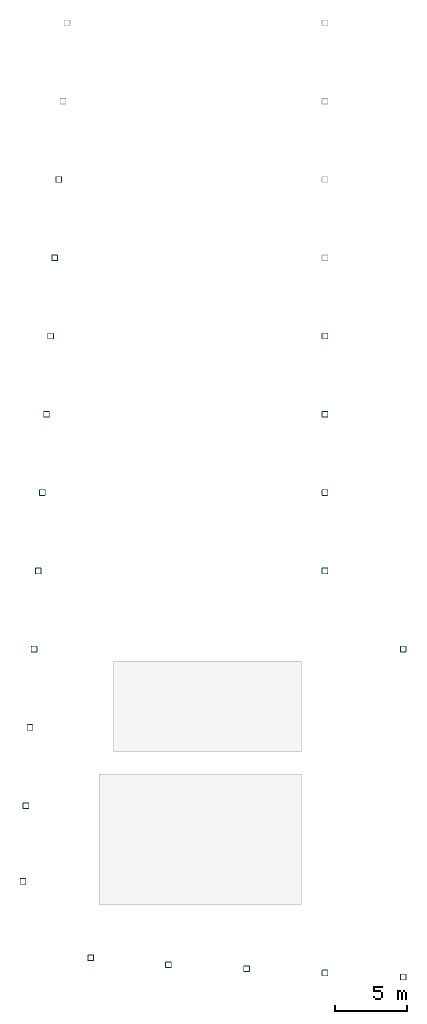
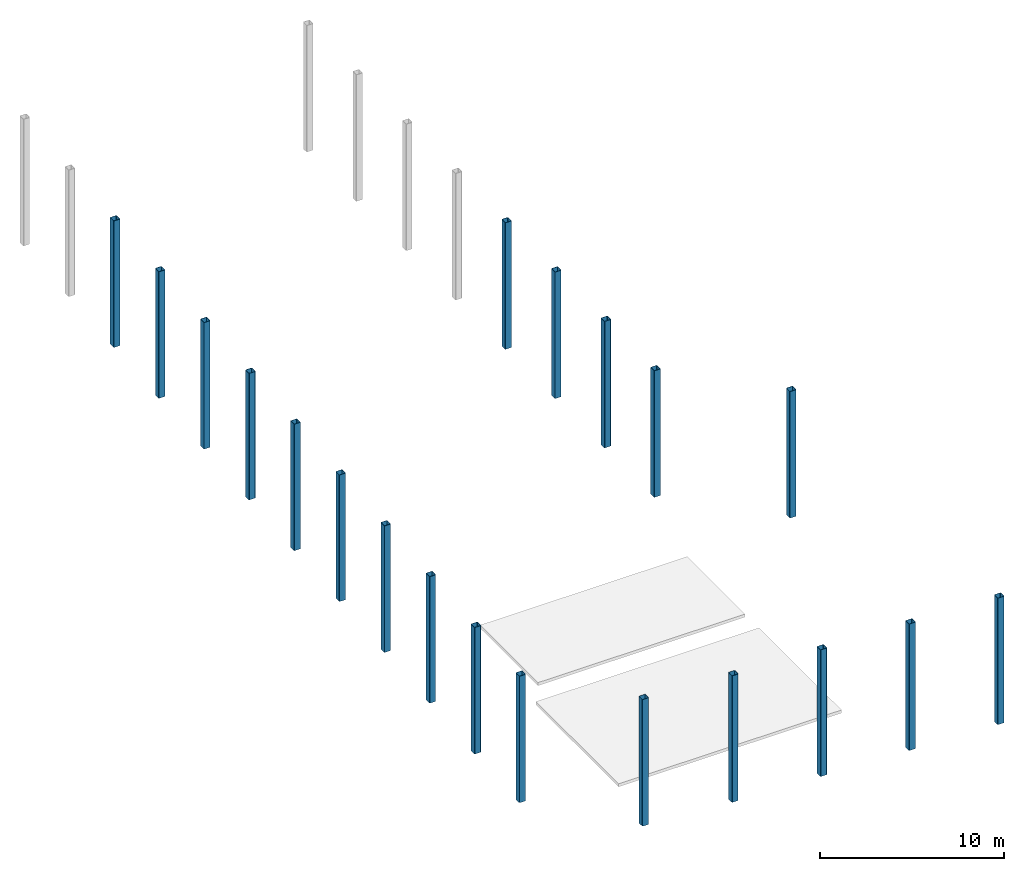
# One storey, part 1 of 3: 20 columns.
"""IFC4 building model written with IfcOpenShell, lengths in metres."""

import ifcopenshell
import ifcopenshell.guid

model = None  # the IFC model being written
_history = None  # IfcOwnerHistory: only IFC2X3 demands one
_inside = {}  # id of a spatial element -> (the spatial element, [elements in it])
_under = {}  # id of a project, library or spatial element -> (it, [spatial elements below it])
_declared = {}  # id of a project -> (the project, [libraries it declares])
_typed = {}  # id of a type object -> (the type object, [elements of that type])
_made_of = {}  # id of a material, layer set ... -> (it, [elements and type objects made of it])


def new_model(schema):
    """Start an empty IFC model of exactly this schema.

    Asked for "IFC4X3", IfcOpenShell would pick the latest addendum, in which some entities
    have other attributes; the version numbers below select the first issue.
    IFC2X3 requires an IfcOwnerHistory on every rooted entity: one is made here for all.
    """
    global model, _history
    if schema == "IFC4X3":
        model = ifcopenshell.file(schema_version=(4, 3, 0, 0))
    else:
        model = ifcopenshell.file(schema=schema)
    _inside.clear()
    _under.clear()
    _declared.clear()
    _typed.clear()
    _made_of.clear()
    _history = None
    if model.schema == "IFC2X3":
        org = make("IfcOrganization", Name="unknown")
        user = make(
            "IfcPersonAndOrganization",
            ThePerson=make("IfcPerson", FamilyName="unknown"),
            TheOrganization=org,
        )
        app = make(
            "IfcApplication",
            ApplicationDeveloper=org,
            Version="unknown",
            ApplicationFullName="unknown",
            ApplicationIdentifier="unknown",
        )
        _history = make(
            "IfcOwnerHistory",
            OwningUser=user,
            OwningApplication=app,
            ChangeAction="ADDED",
            CreationDate=0,
        )
    return model


def make(cls, **values):
    """One entity of the class cls with the attributes given. An attribute that is None is left unset."""
    return model.create_entity(
        cls, **{name: value for name, value in values.items() if value is not None}
    )


def rooted(cls, **values):
    """An entity with a GlobalId (a new one), such as an element, a storey or a relation."""
    return make(cls, GlobalId=ifcopenshell.guid.new(), OwnerHistory=_history, **values)


def si_unit(unit_type, name, prefix=None):
    """IfcSIUnit, for example si_unit("LENGTHUNIT", "METRE", prefix="MILLI")."""
    return make("IfcSIUnit", UnitType=unit_type, Prefix=prefix, Name=name)


def assignment(units):
    """IfcUnitAssignment: the units of a project."""
    return None if units is None else make("IfcUnitAssignment", Units=units)


def point(xyz):
    """IfcCartesianPoint."""
    return None if xyz is None else make("IfcCartesianPoint", Coordinates=xyz)


def direction(xyz):
    """IfcDirection."""
    return None if xyz is None else make("IfcDirection", DirectionRatios=xyz)


def frame(location, z_axis=None, x_axis=None):
    """IfcAxis2Placement3D, a coordinate frame: its origin and axes. An axis left out is left unset."""
    return make(
        "IfcAxis2Placement3D",
        Location=point(location),
        Axis=direction(z_axis),
        RefDirection=direction(x_axis),
    )


def frame_2d(location, x_axis=None):
    """IfcAxis2Placement2D, a coordinate frame in the plane: its origin and x axis."""
    return make(
        "IfcAxis2Placement2D", Location=point(location), RefDirection=direction(x_axis)
    )


def origin():
    """The frame at (0, 0, 0) with its axes left unset."""
    return frame((0.0, 0.0, 0.0))


def origin_2d():
    """The frame at (0, 0) in the plane with its x axis left unset."""
    return frame_2d((0.0, 0.0))


def place(relative_to, where):
    """IfcLocalPlacement: puts the frame where relative to a parent placement (None: the world)."""
    return make(
        "IfcLocalPlacement", PlacementRelTo=relative_to, RelativePlacement=where
    )


def context(
    kind, dimensions, precision=None, world=None, true_north=None, identifier=None
):
    """IfcGeometricRepresentationContext, for example the 3D "Model" context."""
    return make(
        "IfcGeometricRepresentationContext",
        ContextIdentifier=identifier,
        ContextType=kind,
        CoordinateSpaceDimension=dimensions,
        Precision=precision,
        WorldCoordinateSystem=world,
        TrueNorth=true_north,
    )


def subcontext(parent, identifier, kind, view, scale=None):
    """IfcGeometricRepresentationSubContext, for example "Body" below "Model"."""
    return make(
        "IfcGeometricRepresentationSubContext",
        ContextIdentifier=identifier,
        ContextType=kind,
        ParentContext=parent,
        TargetScale=scale,
        TargetView=view,
    )


def project(units=None, contexts=None):
    """IfcProject with its units and contexts."""
    return rooted(
        "IfcProject",
        Name="project",
        RepresentationContexts=contexts,
        UnitsInContext=assignment(units),
    )


def spatial(cls, under=None, at=None, **own):
    """A site, building, storey or space (cls), placed at a placement, below another one or the project."""
    s = rooted(cls, ObjectPlacement=at, **own)
    if under is not None:
        _under.setdefault(under.id(), (under, []))[1].append(s)
    return s


def profile(cls, at=None, kind="AREA", **sizes):
    """A parametric profile (cls). Its sizes go by their IFC names, for example OverallWidth=200.0."""
    return make(cls, ProfileType=kind, Position=at, **sizes)


def hollow_rectangle(**sizes):
    """IfcRectangleHollowProfileDef."""
    return profile("IfcRectangleHollowProfileDef", **sizes)


def extrude(swept, where, along, depth):
    """IfcExtrudedAreaSolid: the profile swept, set in the frame where, extruded along a direction by depth."""
    return make(
        "IfcExtrudedAreaSolid",
        SweptArea=swept,
        Position=where,
        ExtrudedDirection=direction(along),
        Depth=depth,
    )


def shape(context_of_items, identifier, shape_type, items):
    """IfcShapeRepresentation: the items that make up one representation, for example the "Body"."""
    return make(
        "IfcShapeRepresentation",
        ContextOfItems=context_of_items,
        RepresentationIdentifier=identifier,
        RepresentationType=shape_type,
        Items=items,
    )


def material(Name=None, Category=None):
    """IfcMaterial."""
    return make("IfcMaterial", Name=Name, Category=Category)


def material_profile(
    of_material, cross_section, Name=None, Category=None, Priority=None
):
    """IfcMaterialProfile: a cross section and its material."""
    return make(
        "IfcMaterialProfile",
        Name=Name,
        Material=of_material,
        Profile=cross_section,
        Priority=Priority,
        Category=Category,
    )


def profile_set(profiles, Name=None, composite=None):
    """IfcMaterialProfileSet."""
    return make(
        "IfcMaterialProfileSet",
        Name=Name,
        MaterialProfiles=profiles,
        CompositeProfile=composite,
    )


def made_of(thing, what):
    """Note that an element or type object is made of a material, layer set ...; save() writes the relation."""
    if what is not None:
        _made_of.setdefault(what.id(), (what, []))[1].append(thing)
    return thing


def type_object(cls, material=None, **own):
    """A type object (cls), such as IfcWallType, which elements share."""
    return made_of(rooted(cls, **own), material)


def element(
    cls,
    number,
    at=None,
    inside=None,
    cuts=None,
    type_object=None,
    material=None,
    context=None,
    identifier="Body",
    shape_type=None,
    held_by="IfcProductDefinitionShape",
    body=None,
    shapes=None,
    **own,
):
    """One element of the class cls, such as IfcWall. Its Tag is "e" and its number.

    at: its placement. inside: the storey or other place that contains it. cuts: it is an
    opening in that element (IfcRelVoidsElement). A single representation is given by context,
    identifier, shape_type and body (its items); several are given by shapes. held_by: the class
    of the entity that holds the representations. save() writes the other relations.
    """
    e = rooted(cls, Tag="e%d" % number, ObjectPlacement=at, **own)
    if body is not None:
        shapes = [shape(context, identifier, shape_type, body)]
    if shapes is not None:
        e.Representation = make(held_by, Representations=shapes)
    if inside is not None:
        _inside.setdefault(inside.id(), (inside, []))[1].append(e)
    if cuts is not None:
        rooted(
            "IfcRelVoidsElement", RelatingBuildingElement=cuts, RelatedOpeningElement=e
        )
    if type_object is not None:
        _typed.setdefault(type_object.id(), (type_object, []))[1].append(e)
    return made_of(e, material)


def aggregate(whole, parts):
    """IfcRelAggregates: a whole, such as a stair, and the parts it consists of."""
    return rooted("IfcRelAggregates", RelatingObject=whole, RelatedObjects=parts)


def save(model, path):
    """Write the relations noted so far, then the file.

    IfcRelAggregates (storeys below a building ...), IfcRelContainedInSpatialStructure (elements
    in a storey), IfcRelDefinesByType, IfcRelAssociatesMaterial and IfcRelDeclares: one each for
    every whole, place, type object, material and project.
    """
    for whole, parts in _under.values():
        aggregate(whole, parts)
    for where, things in _inside.values():
        rooted(
            "IfcRelContainedInSpatialStructure",
            RelatedElements=things,
            RelatingStructure=where,
        )
    for kind, things in _typed.values():
        rooted("IfcRelDefinesByType", RelatedObjects=things, RelatingType=kind)
    for what, things in _made_of.values():
        rooted("IfcRelAssociatesMaterial", RelatedObjects=things, RelatingMaterial=what)
    for by, libraries in _declared.values():
        rooted("IfcRelDeclares", RelatingContext=by, RelatedDefinitions=libraries)
    model.write(path)


model = new_model("IFC4")

# Units and contexts
model_context = context("Model", 3, precision=1e-05, world=origin(), true_north=direction((0.0, 1.0)))
body_context = subcontext(model_context, "Body", "Model", "MODEL_VIEW")
ifc_project = project(units=[si_unit("LENGTHUNIT", "METRE"), si_unit("AREAUNIT", "SQUARE_METRE"), si_unit("VOLUMEUNIT", "CUBIC_METRE"), si_unit("PLANEANGLEUNIT", "RADIAN"), si_unit("MASSUNIT", "GRAM", prefix="KILO")], contexts=[model_context])

# Site, building, storey
site_placement = place(None, origin())
site = spatial("IfcSite", under=ifc_project, at=site_placement, CompositionType="ELEMENT")
building_placement = place(site_placement, origin())
building = spatial("IfcBuilding", under=site, at=building_placement, Name="Kheshtan School and Residences Tower", CompositionType="ELEMENT")
storey_placement = place(building_placement, frame((0.0, 0.0, 416.39990234375)))
storey = spatial("IfcBuildingStorey", under=building, at=storey_placement, Name="Upper roof", CompositionType="ELEMENT", Elevation=416.39990234375)

# Columns
ifc_material = material(Name="Steel ASTM A500 Grade C", Category="steel")
ifc_material_profile = material_profile(ifc_material, hollow_rectangle(XDim=0.406005859375, YDim=0.406005859375, WallThickness=0.01904296875, InnerFilletRadius=0.01904296875, OuterFilletRadius=0.0380859375, at=origin_2d()), Name="HSS 406x406x19")
ifc_profile_set = profile_set([ifc_material_profile], Name="Steel ASTM A500 Grade C")
column_type = type_object("IfcColumnType", Name="Column CF1 HSS 406x406x19 ASTM A500 Grade C", PredefinedType="COLUMN", material=ifc_profile_set)
for number, where, z_axis, x_axis, name in (
    (1, (53.0, 22.97998046875, 0.0), (0.0, 0.0, 1.0), (1.0, 0.0, 0.0), "Crown frame post C019"),
    (2, (47.60009765625, 23.263916015625, 0.0), (0.0, 0.0, 1.0), (1.0, 0.0, 0.0), "Crown frame post C020"),
    (3, (42.199951171875, 23.548095703125, 0.0), (0.0, 0.0, 1.0), (1.0, 0.0, 0.0), "Crown frame post C021"),
    (4, (36.800048828125, 23.83203125, 0.0), (0.0, 0.0, 1.0), (1.0, 0.0, 0.0), "Crown frame post C022"),
    (5, (31.447021484375, 24.31005859375, 0.0), (0.0, 0.0, 1.0), (1.0, 0.0, 0.0), "Crown frame post C034"),
    (6, (26.76708984375, 29.58203125, 0.0), (0.0, 0.0, 1.0), (1.0, 0.0, 0.0), "Crown frame post C048"),
    (7, (26.968994140625, 34.800048828125, 0.0), (0.0, 0.0, 1.0), (1.0, 0.0, 0.0), "Crown frame post C052"),
    (8, (27.2529296875, 40.199951171875, 0.0), (0.0, 0.0, 1.0), (1.0, 0.0, 0.0), "Crown frame post C056"),
    (9, (27.537109375, 45.60009765625, 0.0), (0.0, 0.0, 1.0), (1.0, 0.0, 0.0), "Crown frame post C059"),
    (10, (53.0, 45.60009765625, 0.0), (0.0, 0.0, 1.0), (1.0, 0.0, 0.0), "Crown frame post C061"),
    (11, (27.822021484375, 51.0, 0.0), (0.0, 0.0, 1.0), (1.0, 0.0, 0.0), "Crown frame post C078"),
    (12, (47.60009765625, 51.0, 0.0), (0.0, 0.0, 1.0), (1.0, 0.0, 0.0), "Crown frame post C079"),
    (13, (28.10595703125, 56.39990234375, 0.0), (0.0, 0.0, 1.0), (1.0, 0.0, 0.0), "Crown frame post C080"),
    (14, (47.60009765625, 56.39990234375, 0.0), (0.0, 0.0, 1.0), (1.0, 0.0, 0.0), "Crown frame post C081"),
    (15, (28.389892578125, 61.800048828125, 0.0), (0.0, 0.0, 1.0), (1.0, 0.0, 0.0), "Crown frame post C082"),
    (16, (47.60009765625, 61.800048828125, 0.0), (0.0, 0.0, 1.0), (1.0, 0.0, 0.0), "Crown frame post C083"),
    (17, (28.674072265625, 67.199951171875, 0.0), (0.0, 0.0, 1.0), (1.0, 0.0, 0.0), "Crown frame post C084"),
    (18, (47.60009765625, 67.199951171875, 0.0), (0.0, 0.0, 1.0), (1.0, 0.0, 0.0), "Crown frame post C085"),
    (19, (28.9580078125, 72.60009765625, 0.0), (0.0, 0.0, 1.0), (1.0, 0.0, 0.0), "Crown frame post C086"),
    (20, (29.242919921875, 78.0, 0.0), (0.0, 0.0, 1.0), (1.0, 0.0, 0.0), "Crown frame post C088"),
):
    element("IfcColumn", number, at=place(storey_placement, frame(where, z_axis=z_axis, x_axis=x_axis)), inside=storey, type_object=column_type, Name=name, PredefinedType="COLUMN", context=body_context, shape_type="SweptSolid", body=[
        extrude(hollow_rectangle(XDim=0.406005859375, YDim=0.406005859375, WallThickness=0.01904296875, InnerFilletRadius=0.01904296875, OuterFilletRadius=0.0380859375, at=origin_2d()), origin(), (0.0, 0.0, 1.0), 8.400146484375),
    ])

save(model, "model.ifc")
